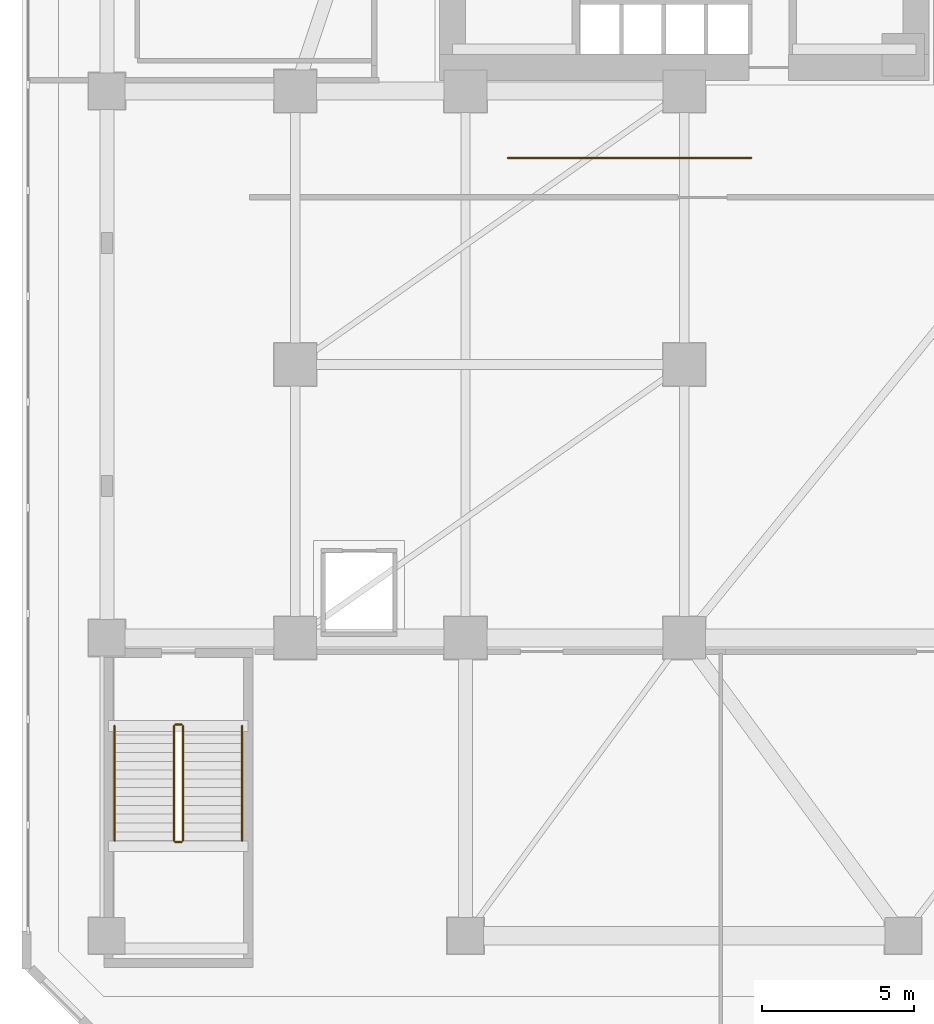
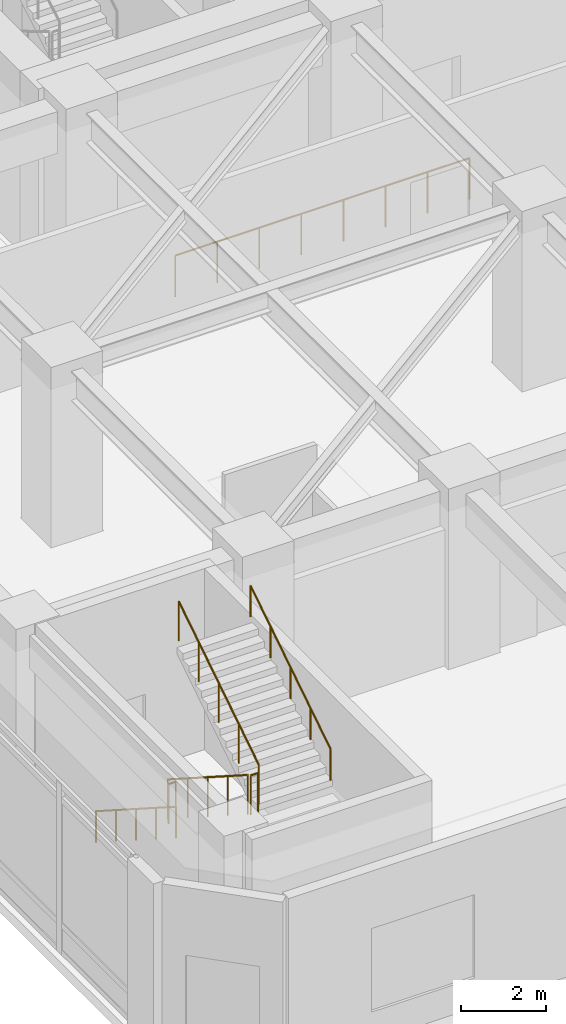
# One storey, part 13 of 16: 7 railings.
"""IFC4 building model written with IfcOpenShell, lengths in metres."""

from ifc_helpers import new_model, si_unit, direction, frame, origin, origin_2d, place, context, subcontext, project, spatial, circle, extrude, material, type_object, element, save


model = new_model("IFC4")

# Units and contexts
model_context = context("Model", 3, precision=1e-05, world=origin(), true_north=direction((0.0, 1.0)))
body_context = subcontext(model_context, "Body", "Model", "MODEL_VIEW")
ifc_project = project(units=[si_unit("LENGTHUNIT", "METRE"), si_unit("AREAUNIT", "SQUARE_METRE"), si_unit("VOLUMEUNIT", "CUBIC_METRE"), si_unit("PLANEANGLEUNIT", "RADIAN"), si_unit("MASSUNIT", "GRAM", prefix="KILO")], contexts=[model_context])

# Site, building, storey
site_placement = place(None, origin())
site = spatial("IfcSite", under=ifc_project, at=site_placement, CompositionType="ELEMENT")
building_placement = place(site_placement, origin())
building = spatial("IfcBuilding", under=site, at=building_placement, Name="Calvemar Wedge Station Tower", CompositionType="ELEMENT")
storey_placement = place(building_placement, frame((0.0, 0.0, 6.0)))
storey = spatial("IfcBuildingStorey", under=building, at=storey_placement, Name="L02", CompositionType="ELEMENT", Elevation=6.0)

# Railings
ifc_material_1 = material(Name="Anodised aluminium 6063-T6", Category="aluminium")
railing_type_1 = type_object("IfcRailingType", Name="RL-BALUSTRADE-1200", PredefinedType="BALUSTRADE", material=ifc_material_1)
railing_1_placement = place(storey_placement, frame((18.0, 30.800048828125, 0.0)))
element("IfcRailing", 1, at=railing_1_placement, inside=storey, type_object=railing_type_1, Name="Storey L02 Glazed Feature Balustrade 3", PredefinedType="BALUSTRADE", context=body_context, shape_type="SweptSolid", body=[
    extrude(circle(Radius=0.02392578125, at=origin_2d()), frame((0.0, 0.0, 1.17578125), z_axis=(1.0, 0.0, 0.0), x_axis=(0.0, 1.0, 0.0)), (0.0, 0.0, 1.0), 8.0),
    extrude(circle(Radius=0.02099609375, at=origin_2d()), origin(), (0.0, 0.0, 1.0), 1.15185546875),
    extrude(circle(Radius=0.02099609375, at=origin_2d()), frame((1.142822265625, 0.0, 0.0)), (0.0, 0.0, 1.0), 1.15185546875),
    extrude(circle(Radius=0.02099609375, at=origin_2d()), frame((2.28564453125, 0.0, 0.0)), (0.0, 0.0, 1.0), 1.15185546875),
    extrude(circle(Radius=0.02099609375, at=origin_2d()), frame((3.428466796875, 0.0, 0.0)), (0.0, 0.0, 1.0), 1.15185546875),
    extrude(circle(Radius=0.02099609375, at=origin_2d()), frame((4.571533203125, 0.0, 0.0)), (0.0, 0.0, 1.0), 1.15185546875),
    extrude(circle(Radius=0.02099609375, at=origin_2d()), frame((5.71435546875, 0.0, 0.0)), (0.0, 0.0, 1.0), 1.15185546875),
    extrude(circle(Radius=0.02099609375, at=origin_2d()), frame((6.857177734375, 0.0, 0.0)), (0.0, 0.0, 1.0), 1.15185546875),
    extrude(circle(Radius=0.02099609375, at=origin_2d()), frame((8.0, 0.0, 0.0)), (0.0, 0.0, 1.0), 1.15185546875),
])
ifc_material_2 = material(Name="Stainless steel AISI 316L", Category="steel")
railing_type_2 = type_object("IfcRailingType", Name="RL-HANDRAIL-920", PredefinedType="HANDRAIL", material=ifc_material_2)
railing_2_placement = place(storey_placement, frame((5.050048828125, 12.10009765625, 0.185791015625)))
element("IfcRailing", 2, at=railing_2_placement, inside=storey, type_object=railing_type_2, Name="L02 ST-P1 stair handrail 1", PredefinedType="HANDRAIL", context=body_context, shape_type="SweptSolid", body=[
    extrude(circle(Radius=0.02392578125, at=origin_2d()), frame((0.0, 0.0, 0.89599609375), z_axis=(0.0, -0.84211983486, 0.539290444692), x_axis=(1.0, 0.0, 0.0)), (0.0, 0.0, 1.0), 4.476806640625),
    extrude(circle(Radius=0.02099609375, at=origin_2d()), origin(), (0.0, 0.0, 1.0), 0.871826171875),
    extrude(circle(Radius=0.02099609375, at=origin_2d()), frame((0.0, -0.9423828125, 0.603515625)), (0.0, 0.0, 1.0), 0.871826171875),
    extrude(circle(Radius=0.02099609375, at=origin_2d()), frame((0.0, -1.885009765625, 1.20703125)), (0.0, 0.0, 1.0), 0.871826171875),
    extrude(circle(Radius=0.02099609375, at=origin_2d()), frame((0.0, -2.82763671875, 1.810791015625)), (0.0, 0.0, 1.0), 0.871826171875),
    extrude(circle(Radius=0.02099609375, at=origin_2d()), frame((0.0, -3.77001953125, 2.414306640625)), (0.0, 0.0, 1.0), 0.871826171875),
])
railing_3_placement = place(storey_placement, frame((9.25, 8.330078125, 2.78564453125)))
element("IfcRailing", 3, at=railing_3_placement, inside=storey, type_object=railing_type_2, Name="L02 ST-P1 stair handrail 2", PredefinedType="HANDRAIL", context=body_context, shape_type="SweptSolid", body=[
    extrude(circle(Radius=0.02392578125, at=origin_2d()), frame((0.0, 0.0, 0.89599609375), z_axis=(0.0, 0.84211983486, 0.539290444692), x_axis=(-1.0, 0.0, 0.0)), (0.0, 0.0, 1.0), 4.476806640625),
    extrude(circle(Radius=0.02099609375, at=origin_2d()), origin(), (0.0, 0.0, 1.0), 0.871826171875),
    extrude(circle(Radius=0.02099609375, at=origin_2d()), frame((0.0, 0.9423828125, 0.603515625)), (0.0, 0.0, 1.0), 0.871826171875),
    extrude(circle(Radius=0.02099609375, at=origin_2d()), frame((0.0, 1.885009765625, 1.20703125)), (0.0, 0.0, 1.0), 0.871826171875),
    extrude(circle(Radius=0.02099609375, at=origin_2d()), frame((0.0, 2.82763671875, 1.810791015625)), (0.0, 0.0, 1.0), 0.871826171875),
    extrude(circle(Radius=0.02099609375, at=origin_2d()), frame((0.0, 3.77001953125, 2.414306640625)), (0.0, 0.0, 1.0), 0.871826171875),
])
ifc_material_3 = material(Name="Painted steel guardrail ASTM A500 Grade C", Category="steel")
railing_type_3 = type_object("IfcRailingType", Name="RL-STAIR-GUARD-1150", PredefinedType="GUARDRAIL", material=ifc_material_3)
railing_4_placement = place(storey_placement, frame((7.0, 12.10009765625, 0.185791015625)))
element("IfcRailing", 4, at=railing_4_placement, inside=storey, type_object=railing_type_3, Name="L02 ST-P1 stair guard 1", PredefinedType="GUARDRAIL", context=body_context, shape_type="SweptSolid", body=[
    extrude(circle(Radius=0.02392578125, at=origin_2d()), frame((0.0, 0.0, 1.1259765625), z_axis=(0.0, -0.84211983486, 0.539290444692), x_axis=(1.0, 0.0, 0.0)), (0.0, 0.0, 1.0), 4.476806640625),
    extrude(circle(Radius=0.02099609375, at=origin_2d()), origin(), (0.0, 0.0, 1.0), 1.101806640625),
    extrude(circle(Radius=0.02099609375, at=origin_2d()), frame((0.0, -0.9423828125, 0.603515625)), (0.0, 0.0, 1.0), 1.101806640625),
    extrude(circle(Radius=0.02099609375, at=origin_2d()), frame((0.0, -1.885009765625, 1.20703125)), (0.0, 0.0, 1.0), 1.101806640625),
    extrude(circle(Radius=0.02099609375, at=origin_2d()), frame((0.0, -2.82763671875, 1.810791015625)), (0.0, 0.0, 1.0), 1.101806640625),
    extrude(circle(Radius=0.02099609375, at=origin_2d()), frame((0.0, -3.77001953125, 2.414306640625)), (0.0, 0.0, 1.0), 1.101806640625),
])
railing_5_placement = place(storey_placement, frame((7.050048828125, 8.280029296875, 2.60009765625)))
element("IfcRailing", 5, at=railing_5_placement, inside=storey, type_object=railing_type_3, Name="L02 ST-P1 stair guard 2", PredefinedType="GUARDRAIL", context=body_context, shape_type="SweptSolid", body=[
    extrude(circle(Radius=0.02392578125, at=origin_2d()), frame((0.0, 0.0, 1.1259765625), z_axis=(1.0, 0.0, 0.0), x_axis=(0.0, 1.0, 0.0)), (0.0, 0.0, 1.0), 0.199951171875),
    extrude(circle(Radius=0.02099609375, at=origin_2d()), origin(), (0.0, 0.0, 1.0), 1.101806640625),
    extrude(circle(Radius=0.02099609375, at=origin_2d()), frame((0.199951171875, 0.0, 0.0)), (0.0, 0.0, 1.0), 1.101806640625),
])
railing_6_placement = place(storey_placement, frame((7.300048828125, 8.330078125, 2.78564453125)))
element("IfcRailing", 6, at=railing_6_placement, inside=storey, type_object=railing_type_3, Name="L02 ST-P1 stair guard 3", PredefinedType="GUARDRAIL", context=body_context, shape_type="SweptSolid", body=[
    extrude(circle(Radius=0.02392578125, at=origin_2d()), frame((0.0, 0.0, 1.1259765625), z_axis=(0.0, 0.84211983486, 0.539290444692), x_axis=(-1.0, 0.0, 0.0)), (0.0, 0.0, 1.0), 4.476806640625),
    extrude(circle(Radius=0.02099609375, at=origin_2d()), origin(), (0.0, 0.0, 1.0), 1.101806640625),
    extrude(circle(Radius=0.02099609375, at=origin_2d()), frame((0.0, 0.9423828125, 0.603515625)), (0.0, 0.0, 1.0), 1.101806640625),
    extrude(circle(Radius=0.02099609375, at=origin_2d()), frame((0.0, 1.885009765625, 1.20703125)), (0.0, 0.0, 1.0), 1.101806640625),
    extrude(circle(Radius=0.02099609375, at=origin_2d()), frame((0.0, 2.82763671875, 1.810791015625)), (0.0, 0.0, 1.0), 1.101806640625),
    extrude(circle(Radius=0.02099609375, at=origin_2d()), frame((0.0, 3.77001953125, 2.414306640625)), (0.0, 0.0, 1.0), 1.101806640625),
])
railing_7_placement = place(storey_placement, frame((7.050048828125, 12.14990234375, 0.0)))
element("IfcRailing", 7, at=railing_7_placement, inside=storey, type_object=railing_type_3, Name="L02 ST-P1 stair guard 4", PredefinedType="GUARDRAIL", context=body_context, shape_type="SweptSolid", body=[
    extrude(circle(Radius=0.02392578125, at=origin_2d()), frame((0.0, 0.0, 1.1259765625), z_axis=(1.0, 0.0, 0.0), x_axis=(0.0, 1.0, 0.0)), (0.0, 0.0, 1.0), 0.199951171875),
    extrude(circle(Radius=0.02099609375, at=origin_2d()), origin(), (0.0, 0.0, 1.0), 1.101806640625),
    extrude(circle(Radius=0.02099609375, at=origin_2d()), frame((0.199951171875, 0.0, 0.0)), (0.0, 0.0, 1.0), 1.101806640625),
])

save(model, "model.ifc")
